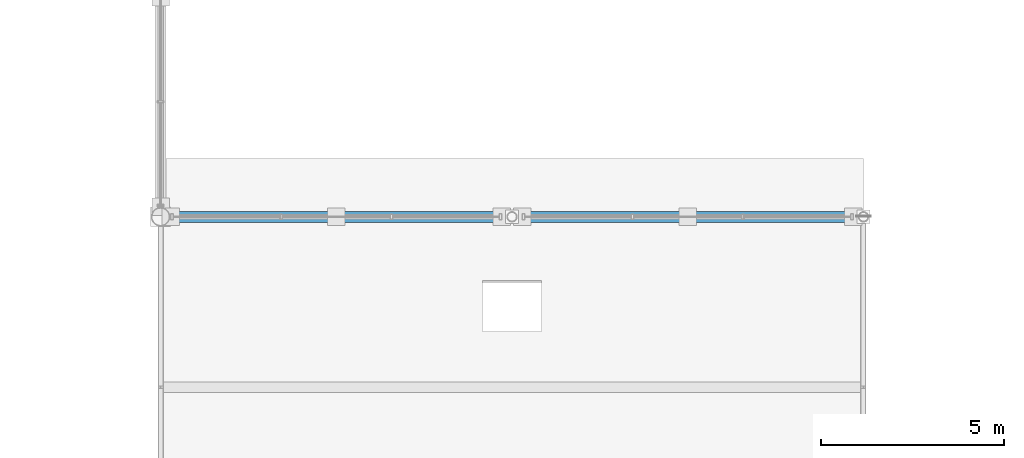
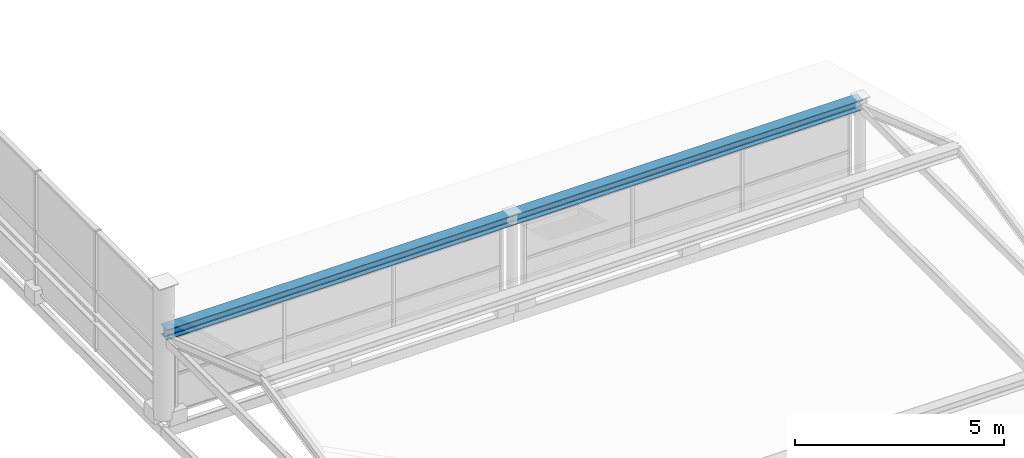
# One storey, part 72 of 117: 1 beam.
"""IFC4 building model written with IfcOpenShell, lengths in metres."""

from ifc_helpers import new_model, si_unit, direction, frame, origin, origin_2d, place, context, subcontext, project, spatial, i_section, extrude, material, material_profile, profile_set, type_object, element, save


model = new_model("IFC4")

# Units and contexts
model_context = context("Model", 3, precision=1e-05, world=origin(), true_north=direction((0.0, 1.0)))
body_context = subcontext(model_context, "Body", "Model", "MODEL_VIEW")
ifc_project = project(units=[si_unit("LENGTHUNIT", "METRE"), si_unit("AREAUNIT", "SQUARE_METRE"), si_unit("VOLUMEUNIT", "CUBIC_METRE"), si_unit("PLANEANGLEUNIT", "RADIAN"), si_unit("MASSUNIT", "GRAM", prefix="KILO")], contexts=[model_context])

# Site, building, storey
site_placement = place(None, origin())
site = spatial("IfcSite", under=ifc_project, at=site_placement, CompositionType="ELEMENT")
building_placement = place(site_placement, origin())
building = spatial("IfcBuilding", under=site, at=building_placement, Name="Merenkruunu Market Hall", CompositionType="ELEMENT")
storey_placement = place(building_placement, frame((0.0, 0.0, 10.199951171875)))
storey = spatial("IfcBuildingStorey", under=building, at=storey_placement, Name="L02", CompositionType="ELEMENT", Elevation=10.199951171875)

# Beam
ifc_material = material(Name="Steel S355J2", Category="steel")
ifc_material_profile = material_profile(ifc_material, i_section(OverallWidth=0.300048828125, OverallDepth=0.2900390625, WebThickness=0.008544921875, FlangeThickness=0.013916015625, FilletRadius=0.027099609375, at=origin_2d()), Name="HEA 300")
ifc_profile_set = profile_set([ifc_material_profile], Name="Steel S355J2")
beam_type = type_object("IfcBeamType", Name="Primary Floor Girder B09", PredefinedType="BEAM", material=ifc_profile_set)
beam_placement = place(storey_placement, frame((57.60009765625, 99.60009765625, 2.43505859375), z_axis=(1.0, 0.0, 0.0), x_axis=(0.0, 1.0, 0.0)))
element("IfcBeam", 1, at=beam_placement, inside=storey, type_object=beam_type, Name="BM-L02-B09-1308", PredefinedType="BEAM", context=body_context, shape_type="SweptSolid", body=[
    extrude(i_section(OverallWidth=0.300048828125, OverallDepth=0.2900390625, WebThickness=0.008544921875, FlangeThickness=0.013916015625, FilletRadius=0.027099609375, at=origin_2d()), origin(), (0.0, 0.0, 1.0), 19.199951171875),
])

save(model, "model.ifc")
